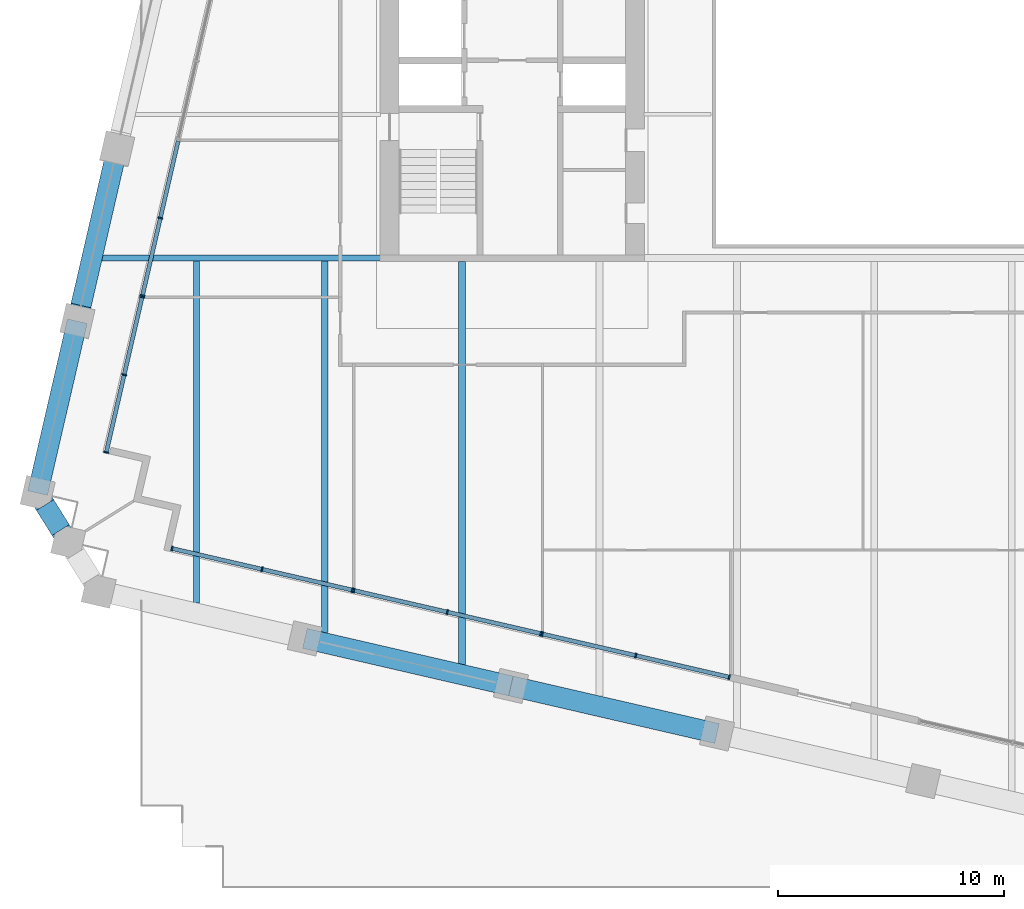
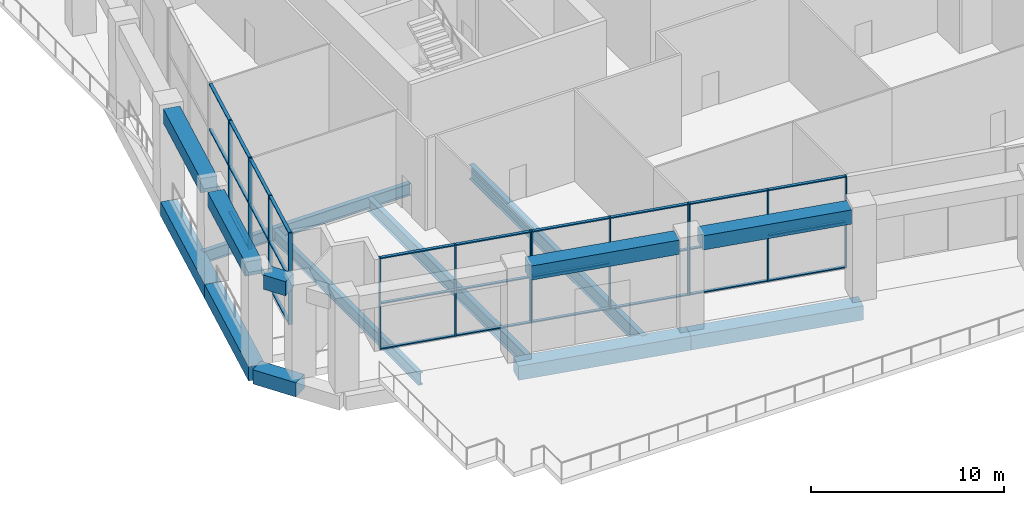
# One storey, part 2 of 23: 44 members, 14 beams, 5 elements without a shape of their own.
"""IFC4 building model written with IfcOpenShell, lengths in metres."""

from ifc_helpers import new_model, si_unit, direction, frame, origin, origin_2d, place, context, subcontext, project, spatial, rectangle, i_section, extrude, material, material_profile, profile_set, type_object, element, aggregate, save


model = new_model("IFC4")

# Units and contexts
model_context = context("Model", 3, precision=1e-05, world=origin(), true_north=direction((0.0, 1.0)))
body_context = subcontext(model_context, "Body", "Model", "MODEL_VIEW")
ifc_project = project(units=[si_unit("LENGTHUNIT", "METRE"), si_unit("AREAUNIT", "SQUARE_METRE"), si_unit("VOLUMEUNIT", "CUBIC_METRE"), si_unit("PLANEANGLEUNIT", "RADIAN"), si_unit("MASSUNIT", "GRAM", prefix="KILO")], contexts=[model_context])

# Site, building, storey
site_placement = place(None, origin())
site = spatial("IfcSite", under=ifc_project, at=site_placement, CompositionType="ELEMENT")
building_placement = place(site_placement, origin())
building = spatial("IfcBuilding", under=site, at=building_placement, Name="Ogive Exchange Tower", CompositionType="ELEMENT")
storey_placement = place(building_placement, frame((0.0, 0.0, 99.60009765625)))
storey = spatial("IfcBuildingStorey", under=building, at=storey_placement, Name="L21", CompositionType="ELEMENT", Elevation=99.60009765625)

# Beams
ifc_material_1 = material(Name="Steel ASTM A992 Gr50", Category="steel")
ifc_material_profile_1 = material_profile(ifc_material_1, i_section(OverallWidth=0.26708984375, OverallDepth=0.75390625, WebThickness=0.01318359375, FlangeThickness=0.01708984375, at=origin_2d()), Name="W760x147")
ifc_profile_set_1 = profile_set([ifc_material_profile_1], Name="Steel ASTM A992 Gr50")
beam_type_1 = type_object("IfcBeamType", Name="Floor beam W760x147", PredefinedType="JOIST", material=ifc_profile_set_1)
beam_1_placement = place(storey_placement, frame((-29.966796875, -17.83251953125, -0.8271484375), z_axis=(0.0, 1.0, 0.0), x_axis=(-1.0, 0.0, 0.0)))
element("IfcBeam", 1, at=beam_1_placement, inside=storey, type_object=beam_type_1, Name="Floor beam", PredefinedType="JOIST", context=body_context, shape_type="SweptSolid", body=[
    extrude(i_section(OverallWidth=0.26708984375, OverallDepth=0.75390625, WebThickness=0.01318359375, FlangeThickness=0.01708984375, at=origin_2d()), origin(), (0.0, 0.0, 1.0), 15.10400390625),
])
ifc_material_profile_2 = material_profile(ifc_material_1, i_section(OverallWidth=0.2919921875, OverallDepth=0.8359375, WebThickness=0.013916015625, FlangeThickness=0.018798828125, at=origin_2d()), Name="W840x176")
ifc_profile_set_2 = profile_set([ifc_material_profile_2], Name="Steel ASTM A992 Gr50")
beam_type_2 = type_object("IfcBeamType", Name="Floor beam W840x176", PredefinedType="JOIST", material=ifc_profile_set_2)
beam_2_placement = place(storey_placement, frame((-24.29345703125, -19.142333984375, -0.8681640625), z_axis=(0.0, 1.0, 0.0), x_axis=(-1.0, 0.0, 0.0)))
element("IfcBeam", 2, at=beam_2_placement, inside=storey, type_object=beam_type_2, Name="Floor beam", PredefinedType="JOIST", context=body_context, shape_type="SweptSolid", body=[
    extrude(i_section(OverallWidth=0.2919921875, OverallDepth=0.8359375, WebThickness=0.013916015625, FlangeThickness=0.018798828125, at=origin_2d()), origin(), (0.0, 0.0, 1.0), 16.413818359375),
])
ifc_material_profile_3 = material_profile(ifc_material_1, i_section(OverallWidth=0.304931640625, OverallDepth=0.904052734375, WebThickness=0.01513671875, FlangeThickness=0.02001953125, at=origin_2d()), Name="W920x201")
ifc_profile_set_3 = profile_set([ifc_material_profile_3], Name="Steel ASTM A992 Gr50")
beam_type_3 = type_object("IfcBeamType", Name="Floor beam W920x201", PredefinedType="JOIST", material=ifc_profile_set_3)
beam_3_placement = place(storey_placement, frame((-18.22021484375, -20.694580078125, -0.902099609375), z_axis=(0.0, 1.0, 0.0), x_axis=(-1.0, 0.0, 0.0)))
element("IfcBeam", 3, at=beam_3_placement, inside=storey, type_object=beam_type_3, Name="Floor beam", PredefinedType="JOIST", context=body_context, shape_type="SweptSolid", body=[
    extrude(i_section(OverallWidth=0.304931640625, OverallDepth=0.904052734375, WebThickness=0.01513671875, FlangeThickness=0.02001953125, at=origin_2d()), origin(), (0.0, 0.0, 1.0), 17.944580078125),
])
ifc_material_profile_4 = material_profile(ifc_material_1, i_section(OverallWidth=0.26708984375, OverallDepth=0.75390625, WebThickness=0.01318359375, FlangeThickness=0.01708984375, at=origin_2d()), Name="W760x147")
ifc_profile_set_4 = profile_set([ifc_material_profile_4], Name="Steel ASTM A992 Gr50")
beam_type_4 = type_object("IfcBeamType", Name="Girder W760x147", PredefinedType="BEAM", material=ifc_profile_set_4)
beam_4_placement = place(storey_placement, frame((-34.2705078125, -2.594970703125, -0.8271484375), z_axis=(1.0, 0.0, 0.0), x_axis=(0.0, 1.0, 0.0)))
element("IfcBeam", 4, at=beam_4_placement, inside=storey, type_object=beam_type_4, Name="Header girder", PredefinedType="BEAM", context=body_context, shape_type="SweptSolid", body=[
    extrude(i_section(OverallWidth=0.26708984375, OverallDepth=0.75390625, WebThickness=0.01318359375, FlangeThickness=0.01708984375, at=origin_2d()), origin(), (0.0, 0.0, 1.0), 12.4404296875),
])
ifc_material_2 = material(Name="Precast concrete C70/85 (limestone faced)", Category="masonry")
ifc_material_profile_5 = material_profile(ifc_material_2, rectangle(XDim=0.89990234375, YDim=0.89990234375, at=origin_2d()), Name="900 x 900")
ifc_profile_set_5 = profile_set([ifc_material_profile_5], Name="Precast concrete C70/85 (limestone faced)")
beam_type_5 = type_object("IfcBeamType", Name="Precast spandrel 900 x 900 C70/85", PredefinedType="SPANDREL", material=ifc_profile_set_5)
beam_5_placement = place(storey_placement, frame((-24.557861328125, -19.543212890625, 5.2998046875), z_axis=(0.974370337884, -0.224949871421, 0.0), x_axis=(0.224949871421, 0.974370337884, 0.0)))
element("IfcBeam", 5, at=beam_5_placement, inside=storey, type_object=beam_type_5, Name="Spandrel 2", PredefinedType="SPANDREL", context=body_context, shape_type="SweptSolid", body=[
    extrude(rectangle(XDim=0.89990234375, YDim=0.89990234375, at=origin_2d()), origin(), (0.0, 0.0, 1.0), 8.08984375),
])
beam_6_placement = place(storey_placement, frame((-15.447509765625, -21.646484375, 5.2998046875), z_axis=(0.974371864918, -0.224943256972, 0.0), x_axis=(0.224943256972, 0.974371864918, 0.0)))
element("IfcBeam", 6, at=beam_6_placement, inside=storey, type_object=beam_type_5, Name="Spandrel 3", PredefinedType="SPANDREL", context=body_context, shape_type="SweptSolid", body=[
    extrude(rectangle(XDim=0.89990234375, YDim=0.89990234375, at=origin_2d()), origin(), (0.0, 0.0, 1.0), 8.090087890625),
])
for number, where, z_axis, x_axis, name in (
    (7, (-33.577392578125, 1.757568359375, 5.2998046875), (-0.224961888605, -0.974367563436, 0.0), (0.974367563436, -0.224961888605, 0.0), "Spandrel 31"),
    (8, (-35.349609375, -5.91845703125, 5.2998046875), (-0.224961888605, -0.974367563436, 0.0), (0.974367563436, -0.224961888605, 0.0), "Spandrel 32"),
):
    element("IfcBeam", number, at=place(storey_placement, frame(where, z_axis=z_axis, x_axis=x_axis)), inside=storey, type_object=beam_type_5, Name=name, PredefinedType="SPANDREL", context=body_context, shape_type="SweptSolid", body=[
        extrude(rectangle(XDim=0.89990234375, YDim=0.89990234375, at=origin_2d()), origin(), (0.0, 0.0, 1.0), 6.617919921875),
    ])
beam_7_placement = place(storey_placement, frame((-36.65185546875, -13.505615234375, 5.2998046875), z_axis=(0.529847842077, -0.848092721491, 0.0), x_axis=(0.848092721491, 0.529847842077, 0.0)))
element("IfcBeam", 9, at=beam_7_placement, inside=storey, type_object=beam_type_5, Name="Spandrel 33", PredefinedType="SPANDREL", context=body_context, shape_type="SweptSolid", body=[
    extrude(rectangle(XDim=0.89990234375, YDim=0.89990234375, at=origin_2d()), origin(), (0.0, 0.0, 1.0), 1.30712890625),
])
ifc_material_profile_6 = material_profile(ifc_material_2, rectangle(XDim=0.89990234375, YDim=0.89990234375, at=origin_2d()), Name="900 x 900")
ifc_profile_set_6 = profile_set([ifc_material_profile_6], Name="Precast concrete C70/85 (limestone faced)")
beam_type_6 = type_object("IfcBeamType", Name="Precast transfer girder 900 x 900 C70/85", PredefinedType="BEAM", material=ifc_profile_set_6)
beam_8_placement = place(storey_placement, frame((-25.171630859375, -19.401611328125, -0.900146484375), z_axis=(0.974376230775, -0.224924344836, 0.0), x_axis=(0.224924344836, 0.974376230775, 0.0)))
element("IfcBeam", 10, at=beam_8_placement, inside=storey, type_object=beam_type_6, Name="Transfer girder 2", PredefinedType="BEAM", context=body_context, shape_type="SweptSolid", body=[
    extrude(rectangle(XDim=0.89990234375, YDim=0.89990234375, at=origin_2d()), origin(), (0.0, 0.0, 1.0), 9.349853515625),
])
beam_9_placement = place(storey_placement, frame((-16.061279296875, -21.504638671875, -0.900146484375), z_axis=(0.974370507876, -0.224949135099, 0.0), x_axis=(0.224949135099, 0.974370507876, 0.0)))
element("IfcBeam", 11, at=beam_9_placement, inside=storey, type_object=beam_type_6, Name="Transfer girder 3", PredefinedType="BEAM", context=body_context, shape_type="SweptSolid", body=[
    extrude(rectangle(XDim=0.89990234375, YDim=0.89990234375, at=origin_2d()), origin(), (0.0, 0.0, 1.0), 9.35009765625),
])
for number, where, z_axis, x_axis, name in (
    (12, (-33.470703125, 2.219482421875, -0.900146484375), (-0.22495322987, -0.974369562523, 0.0), (0.974369562523, -0.22495322987, 0.0), "Transfer girder 31"),
    (13, (-35.225341796875, -5.380615234375, -0.900146484375), (-0.22495322987, -0.974369562523, 0.0), (0.974369562523, -0.22495322987, 0.0), "Transfer girder 32"),
):
    element("IfcBeam", number, at=place(storey_placement, frame(where, z_axis=z_axis, x_axis=x_axis)), inside=storey, type_object=beam_type_6, Name=name, PredefinedType="BEAM", context=body_context, shape_type="SweptSolid", body=[
        extrude(rectangle(XDim=0.89990234375, YDim=0.89990234375, at=origin_2d()), origin(), (0.0, 0.0, 1.0), 7.800048828125),
    ])
beam_10_placement = place(storey_placement, frame((-36.97998046875, -12.980712890625, -0.900146484375), z_axis=(0.529912724405, -0.848052182659, 0.0), x_axis=(0.848052182659, 0.529912724405, 0.0)))
element("IfcBeam", 14, at=beam_10_placement, inside=storey, type_object=beam_type_6, Name="Transfer girder 33", PredefinedType="BEAM", context=body_context, shape_type="SweptSolid", body=[
    extrude(rectangle(XDim=0.89990234375, YDim=0.89990234375, at=origin_2d()), origin(), (0.0, 0.0, 1.0), 2.54541015625),
])

# Curtain wall, members
ifc_material_3 = material(Name="Anodised aluminium and clear glass", Category="aluminium")
curtain_wall_type = type_object("IfcCurtainWallType", Name="Sky lobby glazing", PredefinedType="NOTDEFINED", material=ifc_material_3)
curtain_wall_1_placement = place(storey_placement, origin())
curtain_wall_1 = element("IfcCurtainWall", 15, at=curtain_wall_1_placement, inside=storey, type_object=curtain_wall_type, Name="Sky lobby glazing run G1", PredefinedType="NOTDEFINED")
ifc_material_4 = material(Name="Anodised aluminium", Category="aluminium")
ifc_material_profile_7 = material_profile(ifc_material_4, rectangle(XDim=0.219970703125, YDim=0.070068359375, at=origin_2d()), Name="AL 70x220")
ifc_profile_set_7 = profile_set([ifc_material_profile_7], Name="Anodised aluminium")
member_type_1 = type_object("IfcMemberType", Name="Sky lobby glazing mullion 70 x 220", PredefinedType="MULLION", material=ifc_profile_set_7)
member_1_placement = place(storey_placement, frame((-31.04345703125, -15.4287109375, 0.0), z_axis=(0.0, 0.0, 1.0), x_axis=(0.224947146898, 0.974370966882, 0.0)))
member_1 = element("IfcMember", 16, at=member_1_placement, type_object=member_type_1, Name="G1 mullion 1", PredefinedType="MULLION", context=body_context, shape_type="SweptSolid", body=[
    extrude(rectangle(XDim=0.219970703125, YDim=0.070068359375, at=origin_2d()), origin(), (0.0, 0.0, 1.0), 5.7998046875),
])
member_2_placement = place(storey_placement, frame((-27.058349609375, -16.348876953125, 0.0), z_axis=(0.0, 0.0, 1.0), x_axis=(0.224947146898, 0.974370966882, 0.0)))
member_2 = element("IfcMember", 17, at=member_2_placement, type_object=member_type_1, Name="G1 mullion 2", PredefinedType="MULLION", context=body_context, shape_type="SweptSolid", body=[
    extrude(rectangle(XDim=0.219970703125, YDim=0.070068359375, at=origin_2d()), origin(), (0.0, 0.0, 1.0), 5.7998046875),
])
member_3_placement = place(storey_placement, frame((-23.0732421875, -17.268798828125, 0.0), z_axis=(0.0, 0.0, 1.0), x_axis=(0.224947146898, 0.974370966882, 0.0)))
member_3 = element("IfcMember", 18, at=member_3_placement, type_object=member_type_1, Name="G1 mullion 3", PredefinedType="MULLION", context=body_context, shape_type="SweptSolid", body=[
    extrude(rectangle(XDim=0.219970703125, YDim=0.070068359375, at=origin_2d()), origin(), (0.0, 0.0, 1.0), 5.7998046875),
])

curtain_wall_2_placement = place(storey_placement, origin())
curtain_wall_2 = element("IfcCurtainWall", 19, at=curtain_wall_2_placement, inside=storey, type_object=curtain_wall_type, Name="Sky lobby glazing run G2", PredefinedType="NOTDEFINED")
member_4_placement = place(storey_placement, frame((-23.0048828125, -17.28466796875, 0.0), z_axis=(0.0, 0.0, 1.0), x_axis=(0.224957737445, 0.974368521846, 0.0)))
member_4 = element("IfcMember", 20, at=member_4_placement, type_object=member_type_1, Name="G2 mullion 1", PredefinedType="MULLION", context=body_context, shape_type="SweptSolid", body=[
    extrude(rectangle(XDim=0.219970703125, YDim=0.070068359375, at=origin_2d()), origin(), (0.0, 0.0, 1.0), 5.7998046875),
])
member_5_placement = place(storey_placement, frame((-18.87353515625, -18.23828125, 0.0), z_axis=(0.0, 0.0, 1.0), x_axis=(0.224957737445, 0.974368521846, 0.0)))
member_5 = element("IfcMember", 21, at=member_5_placement, type_object=member_type_1, Name="G2 mullion 2", PredefinedType="MULLION", context=body_context, shape_type="SweptSolid", body=[
    extrude(rectangle(XDim=0.219970703125, YDim=0.070068359375, at=origin_2d()), origin(), (0.0, 0.0, 1.0), 5.7998046875),
])
member_6_placement = place(storey_placement, frame((-14.7421875, -19.192138671875, 0.0), z_axis=(0.0, 0.0, 1.0), x_axis=(0.224957737445, 0.974368521846, 0.0)))
member_6 = element("IfcMember", 22, at=member_6_placement, type_object=member_type_1, Name="G2 mullion 3", PredefinedType="MULLION", context=body_context, shape_type="SweptSolid", body=[
    extrude(rectangle(XDim=0.219970703125, YDim=0.070068359375, at=origin_2d()), origin(), (0.0, 0.0, 1.0), 5.7998046875),
])

curtain_wall_3_placement = place(storey_placement, origin())
curtain_wall_3 = element("IfcCurtainWall", 23, at=curtain_wall_3_placement, inside=storey, type_object=curtain_wall_type, Name="Sky lobby glazing run G3", PredefinedType="NOTDEFINED")
member_7_placement = place(storey_placement, frame((-14.674072265625, -19.2080078125, 0.0), z_axis=(0.0, 0.0, 1.0), x_axis=(0.224949196986, 0.974370493588, 0.0)))
member_7 = element("IfcMember", 24, at=member_7_placement, type_object=member_type_1, Name="G3 mullion 1", PredefinedType="MULLION", context=body_context, shape_type="SweptSolid", body=[
    extrude(rectangle(XDim=0.219970703125, YDim=0.070068359375, at=origin_2d()), origin(), (0.0, 0.0, 1.0), 5.7998046875),
])
member_8_placement = place(storey_placement, frame((-10.542724609375, -20.161865234375, 0.0), z_axis=(0.0, 0.0, 1.0), x_axis=(0.224949196986, 0.974370493588, 0.0)))
member_8 = element("IfcMember", 25, at=member_8_placement, type_object=member_type_1, Name="G3 mullion 2", PredefinedType="MULLION", context=body_context, shape_type="SweptSolid", body=[
    extrude(rectangle(XDim=0.219970703125, YDim=0.070068359375, at=origin_2d()), origin(), (0.0, 0.0, 1.0), 5.7998046875),
])
member_9_placement = place(storey_placement, frame((-6.41162109375, -21.115478515625, 0.0), z_axis=(0.0, 0.0, 1.0), x_axis=(0.224949196986, 0.974370493588, 0.0)))
member_9 = element("IfcMember", 26, at=member_9_placement, type_object=member_type_1, Name="G3 mullion 3", PredefinedType="MULLION", context=body_context, shape_type="SweptSolid", body=[
    extrude(rectangle(XDim=0.219970703125, YDim=0.070068359375, at=origin_2d()), origin(), (0.0, 0.0, 1.0), 5.7998046875),
])

curtain_wall_4_placement = place(storey_placement, origin())
curtain_wall_4 = element("IfcCurtainWall", 27, at=curtain_wall_4_placement, inside=storey, type_object=curtain_wall_type, Name="Sky lobby glazing run G25", PredefinedType="NOTDEFINED")
member_10_placement = place(storey_placement, frame((-31.554931640625, -0.81787109375, 0.0), z_axis=(0.0, 0.0, 1.0), x_axis=(0.974369396254, -0.224953950051, 0.0)))
member_10 = element("IfcMember", 28, at=member_10_placement, type_object=member_type_1, Name="G25 mullion 2", PredefinedType="MULLION", context=body_context, shape_type="SweptSolid", body=[
    extrude(rectangle(XDim=0.219970703125, YDim=0.070068359375, at=origin_2d()), origin(), (0.0, 0.0, 1.0), 5.7998046875),
])
member_11_placement = place(storey_placement, frame((-32.34716796875, -4.249755859375, 0.0), z_axis=(0.0, 0.0, 1.0), x_axis=(0.974369396254, -0.224953950051, 0.0)))
member_11 = element("IfcMember", 29, at=member_11_placement, type_object=member_type_1, Name="G25 mullion 3", PredefinedType="MULLION", context=body_context, shape_type="SweptSolid", body=[
    extrude(rectangle(XDim=0.219970703125, YDim=0.070068359375, at=origin_2d()), origin(), (0.0, 0.0, 1.0), 5.7998046875),
])

curtain_wall_5_placement = place(storey_placement, origin())
curtain_wall_5 = element("IfcCurtainWall", 30, at=curtain_wall_5_placement, inside=storey, type_object=curtain_wall_type, Name="Sky lobby glazing run G26", PredefinedType="NOTDEFINED")
member_12_placement = place(storey_placement, frame((-32.363037109375, -4.31787109375, 0.0), z_axis=(0.0, 0.0, 1.0), x_axis=(0.974368684938, -0.224957031035, 0.0)))
member_12 = element("IfcMember", 31, at=member_12_placement, type_object=member_type_1, Name="G26 mullion 1", PredefinedType="MULLION", context=body_context, shape_type="SweptSolid", body=[
    extrude(rectangle(XDim=0.219970703125, YDim=0.070068359375, at=origin_2d()), origin(), (0.0, 0.0, 1.0), 5.7998046875),
])
member_13_placement = place(storey_placement, frame((-33.1552734375, -7.749755859375, 0.0), z_axis=(0.0, 0.0, 1.0), x_axis=(0.974368684938, -0.224957031035, 0.0)))
member_13 = element("IfcMember", 32, at=member_13_placement, type_object=member_type_1, Name="G26 mullion 2", PredefinedType="MULLION", context=body_context, shape_type="SweptSolid", body=[
    extrude(rectangle(XDim=0.219970703125, YDim=0.070068359375, at=origin_2d()), origin(), (0.0, 0.0, 1.0), 5.7998046875),
])
member_14_placement = place(storey_placement, frame((-33.947509765625, -11.181640625, 0.0), z_axis=(0.0, 0.0, 1.0), x_axis=(0.974368684938, -0.224957031035, 0.0)))
member_14 = element("IfcMember", 33, at=member_14_placement, type_object=member_type_1, Name="G26 mullion 3", PredefinedType="MULLION", context=body_context, shape_type="SweptSolid", body=[
    extrude(rectangle(XDim=0.219970703125, YDim=0.070068359375, at=origin_2d()), origin(), (0.0, 0.0, 1.0), 5.7998046875),
])

# Member
ifc_material_profile_8 = material_profile(ifc_material_4, rectangle(XDim=0.179931640625, YDim=0.070068359375, at=origin_2d()), Name="AL 70x180")
ifc_profile_set_8 = profile_set([ifc_material_profile_8], Name="Anodised aluminium")
member_type_2 = type_object("IfcMemberType", Name="Sky lobby glazing transom 70 x 180", PredefinedType="USERDEFINED", material=ifc_profile_set_8)
member_15_placement = place(storey_placement, frame((-31.00927734375, -15.436767578125, 0.034912109375), z_axis=(0.974380958351, -0.224903863914, 0.0), x_axis=(0.224903863914, 0.974380958351, 0.0)))
member_15 = element("IfcMember", 34, at=member_15_placement, type_object=member_type_2, Name="G1 transom 1.1", ObjectType="TRANSOM", PredefinedType="USERDEFINED", context=body_context, shape_type="SweptSolid", body=[
    extrude(rectangle(XDim=0.179931640625, YDim=0.070068359375, at=origin_2d()), origin(), (0.0, 0.0, 1.0), 4.019775390625),
])

member_16_placement = place(storey_placement, frame((-31.00927734375, -15.436767578125, 2.89990234375), z_axis=(0.974380958351, -0.224903863914, 0.0), x_axis=(0.224903863914, 0.974380958351, 0.0)))
member_16 = element("IfcMember", 35, at=member_16_placement, type_object=member_type_2, Name="G1 transom 1.2", ObjectType="TRANSOM", PredefinedType="USERDEFINED", context=body_context, shape_type="SweptSolid", body=[
    extrude(rectangle(XDim=0.179931640625, YDim=0.070068359375, at=origin_2d()), origin(), (0.0, 0.0, 1.0), 4.019775390625),
])

member_17_placement = place(storey_placement, frame((-31.00927734375, -15.436767578125, 5.764892578125), z_axis=(0.974380958351, -0.224903863914, 0.0), x_axis=(0.224903863914, 0.974380958351, 0.0)))
member_17 = element("IfcMember", 36, at=member_17_placement, type_object=member_type_2, Name="G1 transom 1.3", ObjectType="TRANSOM", PredefinedType="USERDEFINED", context=body_context, shape_type="SweptSolid", body=[
    extrude(rectangle(XDim=0.179931640625, YDim=0.070068359375, at=origin_2d()), origin(), (0.0, 0.0, 1.0), 4.019775390625),
])

member_18_placement = place(storey_placement, frame((-27.024169921875, -16.356689453125, 0.034912109375), z_axis=(0.974367647107, -0.224961526204, 0.0), x_axis=(0.224961526204, 0.974367647107, 0.0)))
member_18 = element("IfcMember", 37, at=member_18_placement, type_object=member_type_2, Name="G1 transom 2.1", ObjectType="TRANSOM", PredefinedType="USERDEFINED", context=body_context, shape_type="SweptSolid", body=[
    extrude(rectangle(XDim=0.179931640625, YDim=0.070068359375, at=origin_2d()), origin(), (0.0, 0.0, 1.0), 4.019775390625),
])

member_19_placement = place(storey_placement, frame((-27.024169921875, -16.356689453125, 2.89990234375), z_axis=(0.974367647107, -0.224961526204, 0.0), x_axis=(0.224961526204, 0.974367647107, 0.0)))
member_19 = element("IfcMember", 38, at=member_19_placement, type_object=member_type_2, Name="G1 transom 2.2", ObjectType="TRANSOM", PredefinedType="USERDEFINED", context=body_context, shape_type="SweptSolid", body=[
    extrude(rectangle(XDim=0.179931640625, YDim=0.070068359375, at=origin_2d()), origin(), (0.0, 0.0, 1.0), 4.019775390625),
])

member_20_placement = place(storey_placement, frame((-27.024169921875, -16.356689453125, 5.764892578125), z_axis=(0.974367647107, -0.224961526204, 0.0), x_axis=(0.224961526204, 0.974367647107, 0.0)))
member_20 = element("IfcMember", 39, at=member_20_placement, type_object=member_type_2, Name="G1 transom 2.3", ObjectType="TRANSOM", PredefinedType="USERDEFINED", context=body_context, shape_type="SweptSolid", body=[
    extrude(rectangle(XDim=0.179931640625, YDim=0.070068359375, at=origin_2d()), origin(), (0.0, 0.0, 1.0), 4.019775390625),
])

aggregate(curtain_wall_1, [member_1, member_2, member_3, member_15, member_16, member_17, member_18, member_19, member_20])

member_21_placement = place(storey_placement, frame((-22.970947265625, -17.29248046875, 0.034912109375), z_axis=(0.974374418682, -0.224932194711, 0.0), x_axis=(0.224932194711, 0.974374418682, 0.0)))
member_21 = element("IfcMember", 40, at=member_21_placement, type_object=member_type_2, Name="G2 transom 1.1", ObjectType="TRANSOM", PredefinedType="USERDEFINED", context=body_context, shape_type="SweptSolid", body=[
    extrude(rectangle(XDim=0.179931640625, YDim=0.070068359375, at=origin_2d()), origin(), (0.0, 0.0, 1.0), 4.170166015625),
])

member_22_placement = place(storey_placement, frame((-22.970947265625, -17.29248046875, 2.89990234375), z_axis=(0.974374418682, -0.224932194711, 0.0), x_axis=(0.224932194711, 0.974374418682, 0.0)))
member_22 = element("IfcMember", 41, at=member_22_placement, type_object=member_type_2, Name="G2 transom 1.2", ObjectType="TRANSOM", PredefinedType="USERDEFINED", context=body_context, shape_type="SweptSolid", body=[
    extrude(rectangle(XDim=0.179931640625, YDim=0.070068359375, at=origin_2d()), origin(), (0.0, 0.0, 1.0), 4.170166015625),
])

member_23_placement = place(storey_placement, frame((-22.970947265625, -17.29248046875, 5.764892578125), z_axis=(0.974374418682, -0.224932194711, 0.0), x_axis=(0.224932194711, 0.974374418682, 0.0)))
member_23 = element("IfcMember", 42, at=member_23_placement, type_object=member_type_2, Name="G2 transom 1.3", ObjectType="TRANSOM", PredefinedType="USERDEFINED", context=body_context, shape_type="SweptSolid", body=[
    extrude(rectangle(XDim=0.179931640625, YDim=0.070068359375, at=origin_2d()), origin(), (0.0, 0.0, 1.0), 4.170166015625),
])

member_24_placement = place(storey_placement, frame((-18.839599609375, -18.246337890625, 0.034912109375), z_axis=(0.974374418682, -0.224932194711, 0.0), x_axis=(0.224932194711, 0.974374418682, 0.0)))
member_24 = element("IfcMember", 43, at=member_24_placement, type_object=member_type_2, Name="G2 transom 2.1", ObjectType="TRANSOM", PredefinedType="USERDEFINED", context=body_context, shape_type="SweptSolid", body=[
    extrude(rectangle(XDim=0.179931640625, YDim=0.070068359375, at=origin_2d()), origin(), (0.0, 0.0, 1.0), 4.170166015625),
])

member_25_placement = place(storey_placement, frame((-18.839599609375, -18.246337890625, 2.89990234375), z_axis=(0.974374418682, -0.224932194711, 0.0), x_axis=(0.224932194711, 0.974374418682, 0.0)))
member_25 = element("IfcMember", 44, at=member_25_placement, type_object=member_type_2, Name="G2 transom 2.2", ObjectType="TRANSOM", PredefinedType="USERDEFINED", context=body_context, shape_type="SweptSolid", body=[
    extrude(rectangle(XDim=0.179931640625, YDim=0.070068359375, at=origin_2d()), origin(), (0.0, 0.0, 1.0), 4.170166015625),
])

member_26_placement = place(storey_placement, frame((-18.839599609375, -18.246337890625, 5.764892578125), z_axis=(0.974374418682, -0.224932194711, 0.0), x_axis=(0.224932194711, 0.974374418682, 0.0)))
member_26 = element("IfcMember", 45, at=member_26_placement, type_object=member_type_2, Name="G2 transom 2.3", ObjectType="TRANSOM", PredefinedType="USERDEFINED", context=body_context, shape_type="SweptSolid", body=[
    extrude(rectangle(XDim=0.179931640625, YDim=0.070068359375, at=origin_2d()), origin(), (0.0, 0.0, 1.0), 4.170166015625),
])

aggregate(curtain_wall_2, [member_4, member_5, member_6, member_21, member_22, member_23, member_24, member_25, member_26])

member_27_placement = place(storey_placement, frame((-14.639892578125, -19.2158203125, 0.034912109375), z_axis=(0.974371456344, -0.224945026756, 0.0), x_axis=(0.224945026756, 0.974371456344, 0.0)))
member_27 = element("IfcMember", 46, at=member_27_placement, type_object=member_type_2, Name="G3 transom 1.1", ObjectType="TRANSOM", PredefinedType="USERDEFINED", context=body_context, shape_type="SweptSolid", body=[
    extrude(rectangle(XDim=0.179931640625, YDim=0.070068359375, at=origin_2d()), origin(), (0.0, 0.0, 1.0), 4.169921875),
])

member_28_placement = place(storey_placement, frame((-14.639892578125, -19.2158203125, 2.89990234375), z_axis=(0.974371456344, -0.224945026756, 0.0), x_axis=(0.224945026756, 0.974371456344, 0.0)))
member_28 = element("IfcMember", 47, at=member_28_placement, type_object=member_type_2, Name="G3 transom 1.2", ObjectType="TRANSOM", PredefinedType="USERDEFINED", context=body_context, shape_type="SweptSolid", body=[
    extrude(rectangle(XDim=0.179931640625, YDim=0.070068359375, at=origin_2d()), origin(), (0.0, 0.0, 1.0), 4.169921875),
])

member_29_placement = place(storey_placement, frame((-14.639892578125, -19.2158203125, 5.764892578125), z_axis=(0.974371456344, -0.224945026756, 0.0), x_axis=(0.224945026756, 0.974371456344, 0.0)))
member_29 = element("IfcMember", 48, at=member_29_placement, type_object=member_type_2, Name="G3 transom 1.3", ObjectType="TRANSOM", PredefinedType="USERDEFINED", context=body_context, shape_type="SweptSolid", body=[
    extrude(rectangle(XDim=0.179931640625, YDim=0.070068359375, at=origin_2d()), origin(), (0.0, 0.0, 1.0), 4.169921875),
])

member_30_placement = place(storey_placement, frame((-10.5087890625, -20.169677734375, 0.034912109375), z_axis=(0.974374418682, -0.224932194711, 0.0), x_axis=(0.224932194711, 0.974374418682, 0.0)))
member_30 = element("IfcMember", 49, at=member_30_placement, type_object=member_type_2, Name="G3 transom 2.1", ObjectType="TRANSOM", PredefinedType="USERDEFINED", context=body_context, shape_type="SweptSolid", body=[
    extrude(rectangle(XDim=0.179931640625, YDim=0.070068359375, at=origin_2d()), origin(), (0.0, 0.0, 1.0), 4.170166015625),
])

member_31_placement = place(storey_placement, frame((-10.5087890625, -20.169677734375, 2.89990234375), z_axis=(0.974374418682, -0.224932194711, 0.0), x_axis=(0.224932194711, 0.974374418682, 0.0)))
member_31 = element("IfcMember", 50, at=member_31_placement, type_object=member_type_2, Name="G3 transom 2.2", ObjectType="TRANSOM", PredefinedType="USERDEFINED", context=body_context, shape_type="SweptSolid", body=[
    extrude(rectangle(XDim=0.179931640625, YDim=0.070068359375, at=origin_2d()), origin(), (0.0, 0.0, 1.0), 4.170166015625),
])

member_32_placement = place(storey_placement, frame((-10.5087890625, -20.169677734375, 5.764892578125), z_axis=(0.974374418682, -0.224932194711, 0.0), x_axis=(0.224932194711, 0.974374418682, 0.0)))
member_32 = element("IfcMember", 51, at=member_32_placement, type_object=member_type_2, Name="G3 transom 2.3", ObjectType="TRANSOM", PredefinedType="USERDEFINED", context=body_context, shape_type="SweptSolid", body=[
    extrude(rectangle(XDim=0.179931640625, YDim=0.070068359375, at=origin_2d()), origin(), (0.0, 0.0, 1.0), 4.170166015625),
])

aggregate(curtain_wall_3, [member_7, member_8, member_9, member_27, member_28, member_29, member_30, member_31, member_32])

member_33_placement = place(storey_placement, frame((-30.7705078125, 2.580078125, 0.034912109375), z_axis=(-0.224957638321, -0.974368544731, 0.0), x_axis=(0.974368544731, -0.224957638321, 0.0)))
member_33 = element("IfcMember", 52, at=member_33_placement, type_object=member_type_2, Name="G25 transom 1.1", ObjectType="TRANSOM", PredefinedType="USERDEFINED", context=body_context, shape_type="SweptSolid", body=[
    extrude(rectangle(XDim=0.179931640625, YDim=0.070068359375, at=origin_2d()), origin(), (0.0, 0.0, 1.0), 3.4521484375),
])

member_34_placement = place(storey_placement, frame((-30.7705078125, 2.580078125, 2.89990234375), z_axis=(-0.224957638321, -0.974368544731, 0.0), x_axis=(0.974368544731, -0.224957638321, 0.0)))
member_34 = element("IfcMember", 53, at=member_34_placement, type_object=member_type_2, Name="G25 transom 1.2", ObjectType="TRANSOM", PredefinedType="USERDEFINED", context=body_context, shape_type="SweptSolid", body=[
    extrude(rectangle(XDim=0.179931640625, YDim=0.070068359375, at=origin_2d()), origin(), (0.0, 0.0, 1.0), 3.4521484375),
])

member_35_placement = place(storey_placement, frame((-30.7705078125, 2.580078125, 5.764892578125), z_axis=(-0.224957638321, -0.974368544731, 0.0), x_axis=(0.974368544731, -0.224957638321, 0.0)))
member_35 = element("IfcMember", 54, at=member_35_placement, type_object=member_type_2, Name="G25 transom 1.3", ObjectType="TRANSOM", PredefinedType="USERDEFINED", context=body_context, shape_type="SweptSolid", body=[
    extrude(rectangle(XDim=0.179931640625, YDim=0.070068359375, at=origin_2d()), origin(), (0.0, 0.0, 1.0), 3.4521484375),
])

member_36_placement = place(storey_placement, frame((-31.562744140625, -0.851806640625, 0.034912109375), z_axis=(-0.224957638321, -0.974368544731, 0.0), x_axis=(0.974368544731, -0.224957638321, 0.0)))
member_36 = element("IfcMember", 55, at=member_36_placement, type_object=member_type_2, Name="G25 transom 2.1", ObjectType="TRANSOM", PredefinedType="USERDEFINED", context=body_context, shape_type="SweptSolid", body=[
    extrude(rectangle(XDim=0.179931640625, YDim=0.070068359375, at=origin_2d()), origin(), (0.0, 0.0, 1.0), 3.4521484375),
])

member_37_placement = place(storey_placement, frame((-31.562744140625, -0.851806640625, 2.89990234375), z_axis=(-0.224957638321, -0.974368544731, 0.0), x_axis=(0.974368544731, -0.224957638321, 0.0)))
member_37 = element("IfcMember", 56, at=member_37_placement, type_object=member_type_2, Name="G25 transom 2.2", ObjectType="TRANSOM", PredefinedType="USERDEFINED", context=body_context, shape_type="SweptSolid", body=[
    extrude(rectangle(XDim=0.179931640625, YDim=0.070068359375, at=origin_2d()), origin(), (0.0, 0.0, 1.0), 3.4521484375),
])

member_38_placement = place(storey_placement, frame((-31.562744140625, -0.851806640625, 5.764892578125), z_axis=(-0.224957638321, -0.974368544731, 0.0), x_axis=(0.974368544731, -0.224957638321, 0.0)))
member_38 = element("IfcMember", 57, at=member_38_placement, type_object=member_type_2, Name="G25 transom 2.3", ObjectType="TRANSOM", PredefinedType="USERDEFINED", context=body_context, shape_type="SweptSolid", body=[
    extrude(rectangle(XDim=0.179931640625, YDim=0.070068359375, at=origin_2d()), origin(), (0.0, 0.0, 1.0), 3.4521484375),
])

aggregate(curtain_wall_4, [member_10, member_11, member_33, member_34, member_35, member_36, member_37, member_38])

member_39_placement = place(storey_placement, frame((-32.370849609375, -4.35205078125, 0.034912109375), z_axis=(-0.224973140409, -0.974364965552, 0.0), x_axis=(0.974364965552, -0.224973140409, 0.0)))
member_39 = element("IfcMember", 58, at=member_39_placement, type_object=member_type_2, Name="G26 transom 1.1", ObjectType="TRANSOM", PredefinedType="USERDEFINED", context=body_context, shape_type="SweptSolid", body=[
    extrude(rectangle(XDim=0.179931640625, YDim=0.070068359375, at=origin_2d()), origin(), (0.0, 0.0, 1.0), 3.451904296875),
])

member_40_placement = place(storey_placement, frame((-32.370849609375, -4.35205078125, 2.89990234375), z_axis=(-0.224973140409, -0.974364965552, 0.0), x_axis=(0.974364965552, -0.224973140409, 0.0)))
member_40 = element("IfcMember", 59, at=member_40_placement, type_object=member_type_2, Name="G26 transom 1.2", ObjectType="TRANSOM", PredefinedType="USERDEFINED", context=body_context, shape_type="SweptSolid", body=[
    extrude(rectangle(XDim=0.179931640625, YDim=0.070068359375, at=origin_2d()), origin(), (0.0, 0.0, 1.0), 3.451904296875),
])

member_41_placement = place(storey_placement, frame((-32.370849609375, -4.35205078125, 5.764892578125), z_axis=(-0.224973140409, -0.974364965552, 0.0), x_axis=(0.974364965552, -0.224973140409, 0.0)))
member_41 = element("IfcMember", 60, at=member_41_placement, type_object=member_type_2, Name="G26 transom 1.3", ObjectType="TRANSOM", PredefinedType="USERDEFINED", context=body_context, shape_type="SweptSolid", body=[
    extrude(rectangle(XDim=0.179931640625, YDim=0.070068359375, at=origin_2d()), origin(), (0.0, 0.0, 1.0), 3.451904296875),
])

member_42_placement = place(storey_placement, frame((-33.1630859375, -7.783935546875, 0.034912109375), z_axis=(-0.224973140409, -0.974364965552, 0.0), x_axis=(0.974364965552, -0.224973140409, 0.0)))
member_42 = element("IfcMember", 61, at=member_42_placement, type_object=member_type_2, Name="G26 transom 2.1", ObjectType="TRANSOM", PredefinedType="USERDEFINED", context=body_context, shape_type="SweptSolid", body=[
    extrude(rectangle(XDim=0.179931640625, YDim=0.070068359375, at=origin_2d()), origin(), (0.0, 0.0, 1.0), 3.451904296875),
])

member_43_placement = place(storey_placement, frame((-33.1630859375, -7.783935546875, 2.89990234375), z_axis=(-0.224973140409, -0.974364965552, 0.0), x_axis=(0.974364965552, -0.224973140409, 0.0)))
member_43 = element("IfcMember", 62, at=member_43_placement, type_object=member_type_2, Name="G26 transom 2.2", ObjectType="TRANSOM", PredefinedType="USERDEFINED", context=body_context, shape_type="SweptSolid", body=[
    extrude(rectangle(XDim=0.179931640625, YDim=0.070068359375, at=origin_2d()), origin(), (0.0, 0.0, 1.0), 3.451904296875),
])

member_44_placement = place(storey_placement, frame((-33.1630859375, -7.783935546875, 5.764892578125), z_axis=(-0.224973140409, -0.974364965552, 0.0), x_axis=(0.974364965552, -0.224973140409, 0.0)))
member_44 = element("IfcMember", 63, at=member_44_placement, type_object=member_type_2, Name="G26 transom 2.3", ObjectType="TRANSOM", PredefinedType="USERDEFINED", context=body_context, shape_type="SweptSolid", body=[
    extrude(rectangle(XDim=0.179931640625, YDim=0.070068359375, at=origin_2d()), origin(), (0.0, 0.0, 1.0), 3.451904296875),
])

aggregate(curtain_wall_5, [member_12, member_13, member_14, member_39, member_40, member_41, member_42, member_43, member_44])

save(model, "model.ifc")
